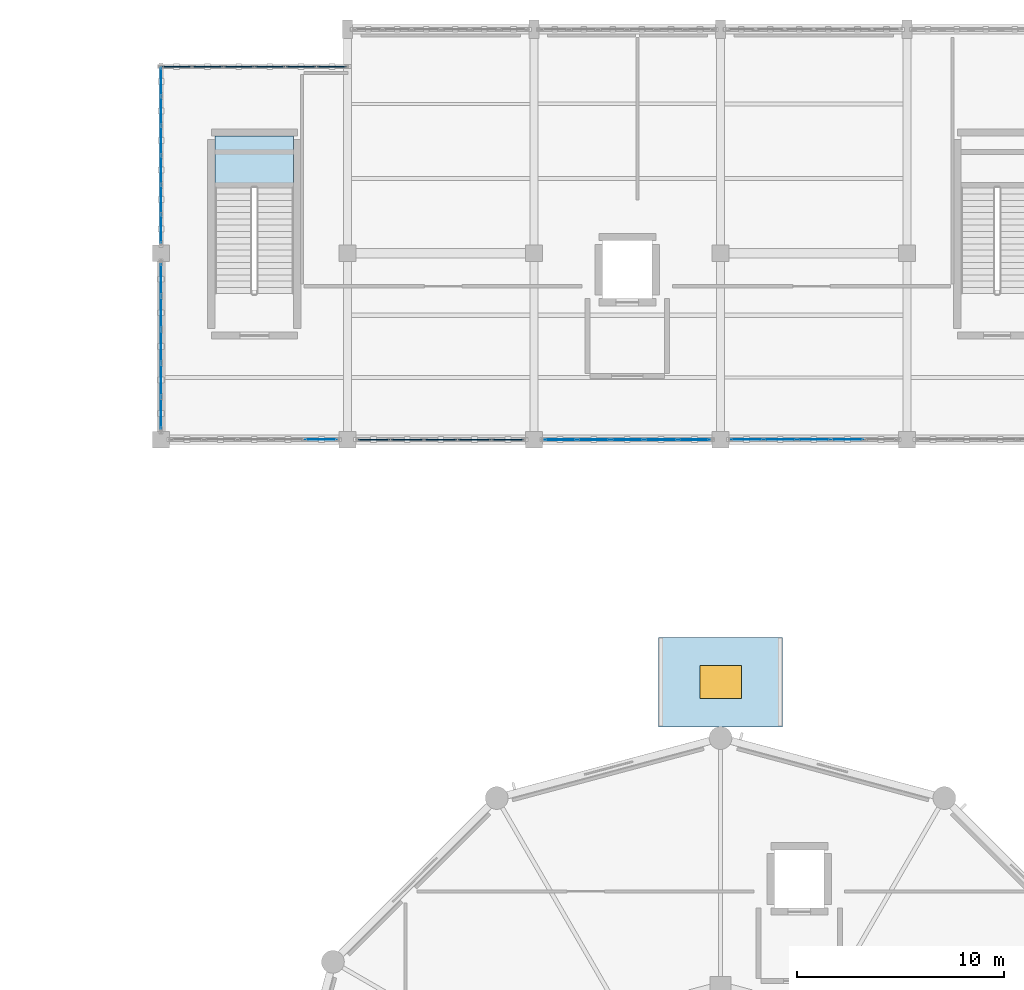
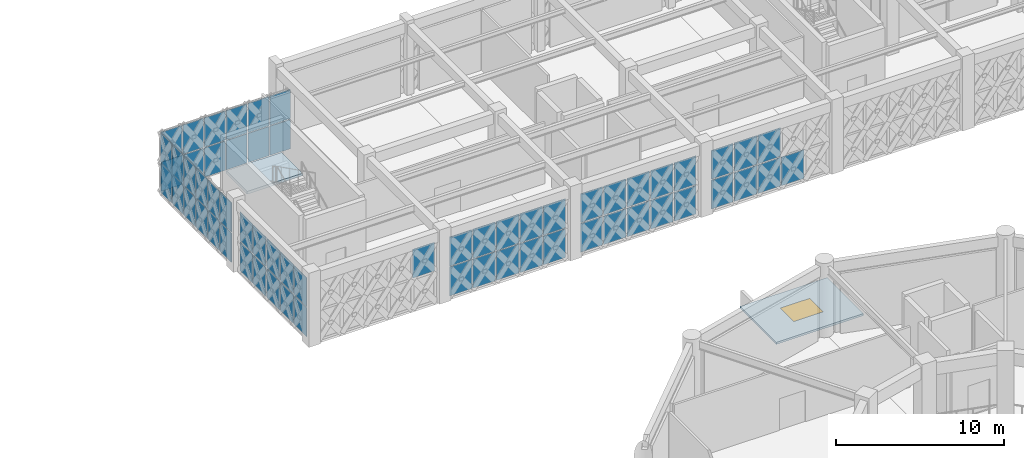
# One storey, part 65 of 86: 62 plates, 2 slabs, 1 window, 1 opening, 8 elements without a shape of their own.
"""IFC4 building model written with IfcOpenShell, lengths in metres."""

from ifc_helpers import new_model, si_unit, direction, frame, origin, origin_2d, place, context, subcontext, project, spatial, polyline, rectangle, outline, extrude, material, layer, layer_set, type_object, element, fill, aggregate, save


model = new_model("IFC4")

# Units and contexts
model_context = context("Model", 3, precision=1e-05, world=origin(), true_north=direction((0.0, 1.0)))
body_context = subcontext(model_context, "Body", "Model", "MODEL_VIEW")
ifc_project = project(units=[si_unit("LENGTHUNIT", "METRE"), si_unit("AREAUNIT", "SQUARE_METRE"), si_unit("VOLUMEUNIT", "CUBIC_METRE"), si_unit("PLANEANGLEUNIT", "RADIAN"), si_unit("MASSUNIT", "GRAM", prefix="KILO")], contexts=[model_context])

# Site, building, storey
site_placement = place(None, origin())
site = spatial("IfcSite", under=ifc_project, at=site_placement, CompositionType="ELEMENT")
building_placement = place(site_placement, origin())
building = spatial("IfcBuilding", under=site, at=building_placement, Name="Haizhuo Lancet Aquarium", CompositionType="ELEMENT")
storey_placement = place(building_placement, frame((0.0, 0.0, 16.199951171875)))
storey = spatial("IfcBuildingStorey", under=building, at=storey_placement, Name="L03", CompositionType="ELEMENT", Elevation=16.199951171875)

# Curtain wall, plate
ifc_material_1 = material(Name="Aluminium 6063-T6", Category="aluminium")
curtain_wall_type_1 = type_object("IfcCurtainWallType", Name="CWD-8110x4400", PredefinedType="NOTDEFINED", material=ifc_material_1)
curtain_wall_1_placement = place(storey_placement, origin())
curtain_wall_1 = element("IfcCurtainWall", 1, at=curtain_wall_1_placement, inside=storey, type_object=curtain_wall_type_1, Name="L03 curtain wall CW-V5-L03-173", PredefinedType="NOTDEFINED")
ifc_material_2 = material(Name="Laminated Low-E Glass", Category="glass")
ifc_layer_1 = layer(ifc_material_2, 0.028076171875)
ifc_layer_set_1 = layer_set([ifc_layer_1], Name="Laminated Low-E Glass")
plate_type_1 = type_object("IfcPlateType", Name="CW-PNL-1", PredefinedType="CURTAIN_PANEL", material=ifc_layer_set_1)
plate_1_placement = place(storey_placement, frame((-19.27490234375, 36.0, 2.237548828125), z_axis=(0.0, 0.0, 1.0), x_axis=(-1.0, 0.0, 0.0)))
plate_1 = element("IfcPlate", 2, at=plate_1_placement, type_object=plate_type_1, Name="CWD-81x44 panel 1.2", PredefinedType="CURTAIN_PANEL", context=body_context, shape_type="SweptSolid", body=[
    extrude(rectangle(XDim=1.509033203125, YDim=0.028076171875, at=origin_2d()), origin(), (0.0, 0.0, 1.0), 2.0869140625),
])
aggregate(curtain_wall_1, [plate_1])

# Curtain wall, plates
curtain_wall_2_placement = place(storey_placement, origin())
curtain_wall_2 = element("IfcCurtainWall", 3, at=curtain_wall_2_placement, inside=storey, type_object=curtain_wall_type_1, Name="L03 curtain wall CW-V5-L03-170", PredefinedType="NOTDEFINED")
ifc_layer_2 = layer(ifc_material_2, 0.033935546875)
ifc_layer_set_2 = layer_set([ifc_layer_2], Name="Laminated Low-E Glass")
plate_type_2 = type_object("IfcPlateType", Name="CW-PNL-2", PredefinedType="CURTAIN_PANEL", material=ifc_layer_set_2)
plate_2_placement = place(storey_placement, frame((6.1220703125, 36.0, 0.07568359375), z_axis=(0.0, 0.0, 1.0), x_axis=(-1.0, 0.0, 0.0)))
plate_2 = element("IfcPlate", 4, at=plate_2_placement, type_object=plate_type_2, Name="CWD-81x44 panel 2.1", PredefinedType="CURTAIN_PANEL", context=body_context, shape_type="SweptSolid", body=[
    extrude(rectangle(XDim=1.547119140625, YDim=0.033935546875, at=origin_2d()), origin(), (0.0, 0.0, 1.0), 2.0869140625),
])
plate_3_placement = place(storey_placement, frame((4.5, 36.0, 0.07568359375), z_axis=(0.0, 0.0, 1.0), x_axis=(-1.0, 0.0, 0.0)))
plate_3 = element("IfcPlate", 5, at=plate_3_placement, type_object=plate_type_2, Name="CWD-81x44 panel 3.1", PredefinedType="CURTAIN_PANEL", context=body_context, shape_type="SweptSolid", body=[
    extrude(rectangle(XDim=1.547119140625, YDim=0.033935546875, at=origin_2d()), origin(), (0.0, 0.0, 1.0), 2.0869140625),
])
plate_4_placement = place(storey_placement, frame((4.5, 36.0, 2.237548828125), z_axis=(0.0, 0.0, 1.0), x_axis=(-1.0, 0.0, 0.0)))
plate_4 = element("IfcPlate", 6, at=plate_4_placement, type_object=plate_type_2, Name="CWD-81x44 panel 3.2", PredefinedType="CURTAIN_PANEL", context=body_context, shape_type="SweptSolid", body=[
    extrude(rectangle(XDim=1.547119140625, YDim=0.033935546875, at=origin_2d()), origin(), (0.0, 0.0, 1.0), 2.0869140625),
])
plate_5_placement = place(storey_placement, frame((2.8779296875, 36.0, 0.07568359375), z_axis=(0.0, 0.0, 1.0), x_axis=(-1.0, 0.0, 0.0)))
plate_5 = element("IfcPlate", 7, at=plate_5_placement, type_object=plate_type_2, Name="CWD-81x44 panel 4.1", PredefinedType="CURTAIN_PANEL", context=body_context, shape_type="SweptSolid", body=[
    extrude(rectangle(XDim=1.547119140625, YDim=0.033935546875, at=origin_2d()), origin(), (0.0, 0.0, 1.0), 2.0869140625),
])
plate_6_placement = place(storey_placement, frame((2.8779296875, 36.0, 2.237548828125), z_axis=(0.0, 0.0, 1.0), x_axis=(-1.0, 0.0, 0.0)))
plate_6 = element("IfcPlate", 8, at=plate_6_placement, type_object=plate_type_2, Name="CWD-81x44 panel 4.2", PredefinedType="CURTAIN_PANEL", context=body_context, shape_type="SweptSolid", body=[
    extrude(rectangle(XDim=1.547119140625, YDim=0.033935546875, at=origin_2d()), origin(), (0.0, 0.0, 1.0), 2.0869140625),
])
plate_7_placement = place(storey_placement, frame((1.27490234375, 36.0, 0.07568359375), z_axis=(0.0, 0.0, 1.0), x_axis=(-1.0, 0.0, 0.0)))
plate_7 = element("IfcPlate", 9, at=plate_7_placement, type_object=plate_type_2, Name="CWD-81x44 panel 5.1", PredefinedType="CURTAIN_PANEL", context=body_context, shape_type="SweptSolid", body=[
    extrude(rectangle(XDim=1.510009765625, YDim=0.033935546875, at=origin_2d()), origin(), (0.0, 0.0, 1.0), 2.0869140625),
])
plate_8_placement = place(storey_placement, frame((1.27490234375, 36.0, 2.237548828125), z_axis=(0.0, 0.0, 1.0), x_axis=(-1.0, 0.0, 0.0)))
plate_8 = element("IfcPlate", 10, at=plate_8_placement, type_object=plate_type_2, Name="CWD-81x44 panel 5.2", PredefinedType="CURTAIN_PANEL", context=body_context, shape_type="SweptSolid", body=[
    extrude(rectangle(XDim=1.510009765625, YDim=0.033935546875, at=origin_2d()), origin(), (0.0, 0.0, 1.0), 2.0869140625),
])
aggregate(curtain_wall_2, [plate_2, plate_3, plate_4, plate_5, plate_6, plate_7, plate_8])

curtain_wall_type_2 = type_object("IfcCurtainWallType", Name="CWD-8110x4450", PredefinedType="NOTDEFINED", material=ifc_material_1)
curtain_wall_3_placement = place(storey_placement, origin())
curtain_wall_3 = element("IfcCurtainWall", 11, at=curtain_wall_3_placement, inside=storey, type_object=curtain_wall_type_2, Name="L03 curtain wall CW-V5-L03-174", PredefinedType="NOTDEFINED")
plate_9_placement = place(storey_placement, frame((-27.0, 37.27587890625, 0.07958984375), z_axis=(0.0, 0.0, 1.0), x_axis=(0.0, 1.0, 0.0)))
plate_9 = element("IfcPlate", 12, at=plate_9_placement, type_object=plate_type_2, Name="CWD-81x44 panel 1.1", PredefinedType="CURTAIN_PANEL", context=body_context, shape_type="SweptSolid", body=[
    extrude(rectangle(XDim=1.501953125, YDim=0.033935546875, at=origin_2d()), origin(), (0.0, 0.0, 1.0), 2.10498046875),
])
plate_10_placement = place(storey_placement, frame((-27.0, 37.27587890625, 2.2646484375), z_axis=(0.0, 0.0, 1.0), x_axis=(0.0, 1.0, 0.0)))
plate_10 = element("IfcPlate", 13, at=plate_10_placement, type_object=plate_type_2, Name="CWD-81x44 panel 1.2", PredefinedType="CURTAIN_PANEL", context=body_context, shape_type="SweptSolid", body=[
    extrude(rectangle(XDim=1.501953125, YDim=0.033935546875, at=origin_2d()), origin(), (0.0, 0.0, 1.0), 2.10498046875),
])
plate_11_placement = place(storey_placement, frame((-27.0, 38.8779296875, 0.07958984375), z_axis=(0.0, 0.0, 1.0), x_axis=(0.0, 1.0, 0.0)))
plate_11 = element("IfcPlate", 14, at=plate_11_placement, type_object=plate_type_2, Name="CWD-81x44 panel 2.1", PredefinedType="CURTAIN_PANEL", context=body_context, shape_type="SweptSolid", body=[
    extrude(rectangle(XDim=1.5419921875, YDim=0.033935546875, at=origin_2d()), origin(), (0.0, 0.0, 1.0), 2.10498046875),
])
plate_12_placement = place(storey_placement, frame((-27.0, 38.8779296875, 2.2646484375), z_axis=(0.0, 0.0, 1.0), x_axis=(0.0, 1.0, 0.0)))
plate_12 = element("IfcPlate", 15, at=plate_12_placement, type_object=plate_type_2, Name="CWD-81x44 panel 2.2", PredefinedType="CURTAIN_PANEL", context=body_context, shape_type="SweptSolid", body=[
    extrude(rectangle(XDim=1.5419921875, YDim=0.033935546875, at=origin_2d()), origin(), (0.0, 0.0, 1.0), 2.10498046875),
])
plate_13_placement = place(storey_placement, frame((-27.0, 40.5, 0.07958984375), z_axis=(0.0, 0.0, 1.0), x_axis=(0.0, 1.0, 0.0)))
plate_13 = element("IfcPlate", 16, at=plate_13_placement, type_object=plate_type_2, Name="CWD-81x44 panel 3.1", PredefinedType="CURTAIN_PANEL", context=body_context, shape_type="SweptSolid", body=[
    extrude(rectangle(XDim=1.5419921875, YDim=0.033935546875, at=origin_2d()), origin(), (0.0, 0.0, 1.0), 2.10498046875),
])
plate_14_placement = place(storey_placement, frame((-27.0, 40.5, 2.2646484375), z_axis=(0.0, 0.0, 1.0), x_axis=(0.0, 1.0, 0.0)))
plate_14 = element("IfcPlate", 17, at=plate_14_placement, type_object=plate_type_2, Name="CWD-81x44 panel 3.2", PredefinedType="CURTAIN_PANEL", context=body_context, shape_type="SweptSolid", body=[
    extrude(rectangle(XDim=1.5419921875, YDim=0.033935546875, at=origin_2d()), origin(), (0.0, 0.0, 1.0), 2.10498046875),
])
plate_15_placement = place(storey_placement, frame((-27.0, 42.1220703125, 0.07958984375), z_axis=(0.0, 0.0, 1.0), x_axis=(0.0, 1.0, 0.0)))
plate_15 = element("IfcPlate", 18, at=plate_15_placement, type_object=plate_type_2, Name="CWD-81x44 panel 4.1", PredefinedType="CURTAIN_PANEL", context=body_context, shape_type="SweptSolid", body=[
    extrude(rectangle(XDim=1.5419921875, YDim=0.033935546875, at=origin_2d()), origin(), (0.0, 0.0, 1.0), 2.10498046875),
])
plate_16_placement = place(storey_placement, frame((-27.0, 42.1220703125, 2.2646484375), z_axis=(0.0, 0.0, 1.0), x_axis=(0.0, 1.0, 0.0)))
plate_16 = element("IfcPlate", 19, at=plate_16_placement, type_object=plate_type_2, Name="CWD-81x44 panel 4.2", PredefinedType="CURTAIN_PANEL", context=body_context, shape_type="SweptSolid", body=[
    extrude(rectangle(XDim=1.5419921875, YDim=0.033935546875, at=origin_2d()), origin(), (0.0, 0.0, 1.0), 2.10498046875),
])
plate_17_placement = place(storey_placement, frame((-27.0, 43.72412109375, 0.07958984375), z_axis=(0.0, 0.0, 1.0), x_axis=(0.0, 1.0, 0.0)))
plate_17 = element("IfcPlate", 20, at=plate_17_placement, type_object=plate_type_2, Name="CWD-81x44 panel 5.1", PredefinedType="CURTAIN_PANEL", context=body_context, shape_type="SweptSolid", body=[
    extrude(rectangle(XDim=1.501953125, YDim=0.033935546875, at=origin_2d()), origin(), (0.0, 0.0, 1.0), 2.10498046875),
])
plate_18_placement = place(storey_placement, frame((-27.0, 43.72412109375, 2.2646484375), z_axis=(0.0, 0.0, 1.0), x_axis=(0.0, 1.0, 0.0)))
plate_18 = element("IfcPlate", 21, at=plate_18_placement, type_object=plate_type_2, Name="CWD-81x44 panel 5.2", PredefinedType="CURTAIN_PANEL", context=body_context, shape_type="SweptSolid", body=[
    extrude(rectangle(XDim=1.501953125, YDim=0.033935546875, at=origin_2d()), origin(), (0.0, 0.0, 1.0), 2.10498046875),
])
aggregate(curtain_wall_3, [plate_9, plate_10, plate_11, plate_12, plate_13, plate_14, plate_15, plate_16, plate_17, plate_18])

curtain_wall_4_placement = place(storey_placement, origin())
curtain_wall_4 = element("IfcCurtainWall", 22, at=curtain_wall_4_placement, inside=storey, type_object=curtain_wall_type_1, Name="L03 curtain wall CW-V5-L03-171", PredefinedType="NOTDEFINED")
ifc_layer_3 = layer(ifc_material_2, 0.0419921875)
ifc_layer_set_3 = layer_set([ifc_layer_3], Name="Laminated Low-E Glass")
plate_type_3 = type_object("IfcPlateType", Name="CW-PNL-3", PredefinedType="CURTAIN_PANEL", material=ifc_layer_set_3)
plate_19_placement = place(storey_placement, frame((-1.27587890625, 36.0, 0.080078125), z_axis=(0.0, 0.0, 1.0), x_axis=(-1.0, 0.0, 0.0)))
plate_19 = element("IfcPlate", 23, at=plate_19_placement, type_object=plate_type_3, Name="CWD-81x44 panel 1.1", PredefinedType="CURTAIN_PANEL", context=body_context, shape_type="SweptSolid", body=[
    extrude(rectangle(XDim=1.501953125, YDim=0.0419921875, at=origin_2d()), origin(), (0.0, 0.0, 1.0), 2.080078125),
])
plate_20_placement = place(storey_placement, frame((-1.27587890625, 36.0, 2.239990234375), z_axis=(0.0, 0.0, 1.0), x_axis=(-1.0, 0.0, 0.0)))
plate_20 = element("IfcPlate", 24, at=plate_20_placement, type_object=plate_type_3, Name="CWD-81x44 panel 1.2", PredefinedType="CURTAIN_PANEL", context=body_context, shape_type="SweptSolid", body=[
    extrude(rectangle(XDim=1.501953125, YDim=0.0419921875, at=origin_2d()), origin(), (0.0, 0.0, 1.0), 2.080078125),
])
plate_21_placement = place(storey_placement, frame((-2.8779296875, 36.0, 0.080078125), z_axis=(0.0, 0.0, 1.0), x_axis=(-1.0, 0.0, 0.0)))
plate_21 = element("IfcPlate", 25, at=plate_21_placement, type_object=plate_type_3, Name="CWD-81x44 panel 2.1", PredefinedType="CURTAIN_PANEL", context=body_context, shape_type="SweptSolid", body=[
    extrude(rectangle(XDim=1.5419921875, YDim=0.0419921875, at=origin_2d()), origin(), (0.0, 0.0, 1.0), 2.080078125),
])
plate_22_placement = place(storey_placement, frame((-2.8779296875, 36.0, 2.239990234375), z_axis=(0.0, 0.0, 1.0), x_axis=(-1.0, 0.0, 0.0)))
plate_22 = element("IfcPlate", 26, at=plate_22_placement, type_object=plate_type_3, Name="CWD-81x44 panel 2.2", PredefinedType="CURTAIN_PANEL", context=body_context, shape_type="SweptSolid", body=[
    extrude(rectangle(XDim=1.5419921875, YDim=0.0419921875, at=origin_2d()), origin(), (0.0, 0.0, 1.0), 2.080078125),
])
plate_23_placement = place(storey_placement, frame((-4.5, 36.0, 0.080078125), z_axis=(0.0, 0.0, 1.0), x_axis=(-1.0, 0.0, 0.0)))
plate_23 = element("IfcPlate", 27, at=plate_23_placement, type_object=plate_type_3, Name="CWD-81x44 panel 3.1", PredefinedType="CURTAIN_PANEL", context=body_context, shape_type="SweptSolid", body=[
    extrude(rectangle(XDim=1.5419921875, YDim=0.0419921875, at=origin_2d()), origin(), (0.0, 0.0, 1.0), 2.080078125),
])
plate_24_placement = place(storey_placement, frame((-4.5, 36.0, 2.239990234375), z_axis=(0.0, 0.0, 1.0), x_axis=(-1.0, 0.0, 0.0)))
plate_24 = element("IfcPlate", 28, at=plate_24_placement, type_object=plate_type_3, Name="CWD-81x44 panel 3.2", PredefinedType="CURTAIN_PANEL", context=body_context, shape_type="SweptSolid", body=[
    extrude(rectangle(XDim=1.5419921875, YDim=0.0419921875, at=origin_2d()), origin(), (0.0, 0.0, 1.0), 2.080078125),
])
plate_25_placement = place(storey_placement, frame((-6.1220703125, 36.0, 0.080078125), z_axis=(0.0, 0.0, 1.0), x_axis=(-1.0, 0.0, 0.0)))
plate_25 = element("IfcPlate", 29, at=plate_25_placement, type_object=plate_type_3, Name="CWD-81x44 panel 4.1", PredefinedType="CURTAIN_PANEL", context=body_context, shape_type="SweptSolid", body=[
    extrude(rectangle(XDim=1.5419921875, YDim=0.0419921875, at=origin_2d()), origin(), (0.0, 0.0, 1.0), 2.080078125),
])
plate_26_placement = place(storey_placement, frame((-6.1220703125, 36.0, 2.239990234375), z_axis=(0.0, 0.0, 1.0), x_axis=(-1.0, 0.0, 0.0)))
plate_26 = element("IfcPlate", 30, at=plate_26_placement, type_object=plate_type_3, Name="CWD-81x44 panel 4.2", PredefinedType="CURTAIN_PANEL", context=body_context, shape_type="SweptSolid", body=[
    extrude(rectangle(XDim=1.5419921875, YDim=0.0419921875, at=origin_2d()), origin(), (0.0, 0.0, 1.0), 2.080078125),
])
plate_27_placement = place(storey_placement, frame((-7.72412109375, 36.0, 0.080078125), z_axis=(0.0, 0.0, 1.0), x_axis=(-1.0, 0.0, 0.0)))
plate_27 = element("IfcPlate", 31, at=plate_27_placement, type_object=plate_type_3, Name="CWD-81x44 panel 5.1", PredefinedType="CURTAIN_PANEL", context=body_context, shape_type="SweptSolid", body=[
    extrude(rectangle(XDim=1.501953125, YDim=0.0419921875, at=origin_2d()), origin(), (0.0, 0.0, 1.0), 2.080078125),
])
plate_28_placement = place(storey_placement, frame((-7.72412109375, 36.0, 2.239990234375), z_axis=(0.0, 0.0, 1.0), x_axis=(-1.0, 0.0, 0.0)))
plate_28 = element("IfcPlate", 32, at=plate_28_placement, type_object=plate_type_3, Name="CWD-81x44 panel 5.2", PredefinedType="CURTAIN_PANEL", context=body_context, shape_type="SweptSolid", body=[
    extrude(rectangle(XDim=1.501953125, YDim=0.0419921875, at=origin_2d()), origin(), (0.0, 0.0, 1.0), 2.080078125),
])
aggregate(curtain_wall_4, [plate_19, plate_20, plate_21, plate_22, plate_23, plate_24, plate_25, plate_26, plate_27, plate_28])

curtain_wall_type_3 = type_object("IfcCurtainWallType", Name="CWD-8560x4450", PredefinedType="NOTDEFINED", material=ifc_material_1)
curtain_wall_5_placement = place(storey_placement, origin())
curtain_wall_5 = element("IfcCurtainWall", 33, at=curtain_wall_5_placement, inside=storey, type_object=curtain_wall_type_3, Name="L03 curtain wall CW-V5-L03-175", PredefinedType="NOTDEFINED")
plate_29_placement = place(storey_placement, frame((-27.0, 46.174072265625, 0.065185546875), z_axis=(0.0, 0.0, 1.0), x_axis=(0.0, 1.0, 0.0)))
plate_29 = element("IfcPlate", 34, at=plate_29_placement, type_object=plate_type_3, Name="CWD-85x44 panel 1.1", PredefinedType="CURTAIN_PANEL", context=body_context, shape_type="SweptSolid", body=[
    extrude(rectangle(XDim=1.327880859375, YDim=0.0419921875, at=origin_2d()), origin(), (0.0, 0.0, 1.0), 2.1279296875),
])
plate_30_placement = place(storey_placement, frame((-27.0, 46.174072265625, 2.257080078125), z_axis=(0.0, 0.0, 1.0), x_axis=(0.0, 1.0, 0.0)))
plate_30 = element("IfcPlate", 35, at=plate_30_placement, type_object=plate_type_3, Name="CWD-85x44 panel 1.2", PredefinedType="CURTAIN_PANEL", context=body_context, shape_type="SweptSolid", body=[
    extrude(rectangle(XDim=1.327880859375, YDim=0.0419921875, at=origin_2d()), origin(), (0.0, 0.0, 1.0), 2.1279296875),
])
plate_31_placement = place(storey_placement, frame((-27.0, 47.583984375, 0.065185546875), z_axis=(0.0, 0.0, 1.0), x_axis=(0.0, 1.0, 0.0)))
plate_31 = element("IfcPlate", 36, at=plate_31_placement, type_object=plate_type_3, Name="CWD-85x44 panel 2.1", PredefinedType="CURTAIN_PANEL", context=body_context, shape_type="SweptSolid", body=[
    extrude(rectangle(XDim=1.361083984375, YDim=0.0419921875, at=origin_2d()), origin(), (0.0, 0.0, 1.0), 2.1279296875),
])
plate_32_placement = place(storey_placement, frame((-27.0, 47.583984375, 2.257080078125), z_axis=(0.0, 0.0, 1.0), x_axis=(0.0, 1.0, 0.0)))
plate_32 = element("IfcPlate", 37, at=plate_32_placement, type_object=plate_type_3, Name="CWD-85x44 panel 2.2", PredefinedType="CURTAIN_PANEL", context=body_context, shape_type="SweptSolid", body=[
    extrude(rectangle(XDim=1.361083984375, YDim=0.0419921875, at=origin_2d()), origin(), (0.0, 0.0, 1.0), 2.1279296875),
])
plate_33_placement = place(storey_placement, frame((-27.0, 49.010009765625, 0.065185546875), z_axis=(0.0, 0.0, 1.0), x_axis=(0.0, 1.0, 0.0)))
plate_33 = element("IfcPlate", 38, at=plate_33_placement, type_object=plate_type_3, Name="CWD-85x44 panel 3.1", PredefinedType="CURTAIN_PANEL", context=body_context, shape_type="SweptSolid", body=[
    extrude(rectangle(XDim=1.361083984375, YDim=0.0419921875, at=origin_2d()), origin(), (0.0, 0.0, 1.0), 2.1279296875),
])
plate_34_placement = place(storey_placement, frame((-27.0, 49.010009765625, 2.257080078125), z_axis=(0.0, 0.0, 1.0), x_axis=(0.0, 1.0, 0.0)))
plate_34 = element("IfcPlate", 39, at=plate_34_placement, type_object=plate_type_3, Name="CWD-85x44 panel 3.2", PredefinedType="CURTAIN_PANEL", context=body_context, shape_type="SweptSolid", body=[
    extrude(rectangle(XDim=1.361083984375, YDim=0.0419921875, at=origin_2d()), origin(), (0.0, 0.0, 1.0), 2.1279296875),
])
plate_35_placement = place(storey_placement, frame((-27.0, 50.43505859375, 0.065185546875), z_axis=(0.0, 0.0, 1.0), x_axis=(0.0, 1.0, 0.0)))
plate_35 = element("IfcPlate", 40, at=plate_35_placement, type_object=plate_type_3, Name="CWD-85x44 panel 4.1", PredefinedType="CURTAIN_PANEL", context=body_context, shape_type="SweptSolid", body=[
    extrude(rectangle(XDim=1.361083984375, YDim=0.0419921875, at=origin_2d()), origin(), (0.0, 0.0, 1.0), 2.1279296875),
])
plate_36_placement = place(storey_placement, frame((-27.0, 50.43505859375, 2.257080078125), z_axis=(0.0, 0.0, 1.0), x_axis=(0.0, 1.0, 0.0)))
plate_36 = element("IfcPlate", 41, at=plate_36_placement, type_object=plate_type_3, Name="CWD-85x44 panel 4.2", PredefinedType="CURTAIN_PANEL", context=body_context, shape_type="SweptSolid", body=[
    extrude(rectangle(XDim=1.361083984375, YDim=0.0419921875, at=origin_2d()), origin(), (0.0, 0.0, 1.0), 2.1279296875),
])
plate_37_placement = place(storey_placement, frame((-27.0, 51.861083984375, 0.065185546875), z_axis=(0.0, 0.0, 1.0), x_axis=(0.0, 1.0, 0.0)))
plate_37 = element("IfcPlate", 42, at=plate_37_placement, type_object=plate_type_3, Name="CWD-85x44 panel 5.1", PredefinedType="CURTAIN_PANEL", context=body_context, shape_type="SweptSolid", body=[
    extrude(rectangle(XDim=1.361083984375, YDim=0.0419921875, at=origin_2d()), origin(), (0.0, 0.0, 1.0), 2.1279296875),
])
plate_38_placement = place(storey_placement, frame((-27.0, 51.861083984375, 2.257080078125), z_axis=(0.0, 0.0, 1.0), x_axis=(0.0, 1.0, 0.0)))
plate_38 = element("IfcPlate", 43, at=plate_38_placement, type_object=plate_type_3, Name="CWD-85x44 panel 5.2", PredefinedType="CURTAIN_PANEL", context=body_context, shape_type="SweptSolid", body=[
    extrude(rectangle(XDim=1.361083984375, YDim=0.0419921875, at=origin_2d()), origin(), (0.0, 0.0, 1.0), 2.1279296875),
])
plate_39_placement = place(storey_placement, frame((-27.0, 53.27099609375, 0.065185546875), z_axis=(0.0, 0.0, 1.0), x_axis=(0.0, 1.0, 0.0)))
plate_39 = element("IfcPlate", 44, at=plate_39_placement, type_object=plate_type_3, Name="CWD-85x44 panel 6.1", PredefinedType="CURTAIN_PANEL", context=body_context, shape_type="SweptSolid", body=[
    extrude(rectangle(XDim=1.327880859375, YDim=0.0419921875, at=origin_2d()), origin(), (0.0, 0.0, 1.0), 2.1279296875),
])
plate_40_placement = place(storey_placement, frame((-27.0, 53.27099609375, 2.257080078125), z_axis=(0.0, 0.0, 1.0), x_axis=(0.0, 1.0, 0.0)))
plate_40 = element("IfcPlate", 45, at=plate_40_placement, type_object=plate_type_3, Name="CWD-85x44 panel 6.2", PredefinedType="CURTAIN_PANEL", context=body_context, shape_type="SweptSolid", body=[
    extrude(rectangle(XDim=1.327880859375, YDim=0.0419921875, at=origin_2d()), origin(), (0.0, 0.0, 1.0), 2.1279296875),
])
aggregate(curtain_wall_5, [plate_29, plate_30, plate_31, plate_32, plate_33, plate_34, plate_35, plate_36, plate_37, plate_38, plate_39, plate_40])

curtain_wall_type_4 = type_object("IfcCurtainWallType", Name="CWD-9000x4430", PredefinedType="NOTDEFINED", material=ifc_material_1)
curtain_wall_6_placement = place(storey_placement, origin())
curtain_wall_6 = element("IfcCurtainWall", 46, at=curtain_wall_6_placement, inside=storey, type_object=curtain_wall_type_4, Name="L03 curtain wall CW-V5-L03-160", PredefinedType="NOTDEFINED")
ifc_layer_4 = layer(ifc_material_2, 0.052001953125)
ifc_layer_set_4 = layer_set([ifc_layer_4], Name="Laminated Low-E Glass")
plate_type_4 = type_object("IfcPlateType", Name="CW-PNL-4", PredefinedType="CURTAIN_PANEL", material=ifc_layer_set_4)
plate_41_placement = place(storey_placement, frame((-26.23388671875, 54.0, 0.064453125), z_axis=(0.0, 0.0, 1.0), x_axis=(1.0, 0.0, 0.0)))
plate_41 = element("IfcPlate", 47, at=plate_41_placement, type_object=plate_type_4, Name="CWD-90x44 panel 1.1", PredefinedType="CURTAIN_PANEL", context=body_context, shape_type="SweptSolid", body=[
    extrude(rectangle(XDim=1.403076171875, YDim=0.052001953125, at=origin_2d()), origin(), (0.0, 0.0, 1.0), 2.12109375),
])
plate_42_placement = place(storey_placement, frame((-26.23388671875, 54.0, 2.25), z_axis=(0.0, 0.0, 1.0), x_axis=(1.0, 0.0, 0.0)))
plate_42 = element("IfcPlate", 48, at=plate_42_placement, type_object=plate_type_4, Name="CWD-90x44 panel 1.2", PredefinedType="CURTAIN_PANEL", context=body_context, shape_type="SweptSolid", body=[
    extrude(rectangle(XDim=1.403076171875, YDim=0.052001953125, at=origin_2d()), origin(), (0.0, 0.0, 1.0), 2.1201171875),
])
plate_43_placement = place(storey_placement, frame((-24.75, 54.0, 0.064453125), z_axis=(0.0, 0.0, 1.0), x_axis=(1.0, 0.0, 0.0)))
plate_43 = element("IfcPlate", 49, at=plate_43_placement, type_object=plate_type_4, Name="CWD-90x44 panel 2.1", PredefinedType="CURTAIN_PANEL", context=body_context, shape_type="SweptSolid", body=[
    extrude(rectangle(XDim=1.43505859375, YDim=0.052001953125, at=origin_2d()), origin(), (0.0, 0.0, 1.0), 2.12109375),
])
plate_44_placement = place(storey_placement, frame((-24.75, 54.0, 2.25), z_axis=(0.0, 0.0, 1.0), x_axis=(1.0, 0.0, 0.0)))
plate_44 = element("IfcPlate", 50, at=plate_44_placement, type_object=plate_type_4, Name="CWD-90x44 panel 2.2", PredefinedType="CURTAIN_PANEL", context=body_context, shape_type="SweptSolid", body=[
    extrude(rectangle(XDim=1.43505859375, YDim=0.052001953125, at=origin_2d()), origin(), (0.0, 0.0, 1.0), 2.1201171875),
])
plate_45_placement = place(storey_placement, frame((-23.25, 54.0, 0.064453125), z_axis=(0.0, 0.0, 1.0), x_axis=(1.0, 0.0, 0.0)))
plate_45 = element("IfcPlate", 51, at=plate_45_placement, type_object=plate_type_4, Name="CWD-90x44 panel 3.1", PredefinedType="CURTAIN_PANEL", context=body_context, shape_type="SweptSolid", body=[
    extrude(rectangle(XDim=1.43505859375, YDim=0.052001953125, at=origin_2d()), origin(), (0.0, 0.0, 1.0), 2.12109375),
])
plate_46_placement = place(storey_placement, frame((-23.25, 54.0, 2.25), z_axis=(0.0, 0.0, 1.0), x_axis=(1.0, 0.0, 0.0)))
plate_46 = element("IfcPlate", 52, at=plate_46_placement, type_object=plate_type_4, Name="CWD-90x44 panel 3.2", PredefinedType="CURTAIN_PANEL", context=body_context, shape_type="SweptSolid", body=[
    extrude(rectangle(XDim=1.43505859375, YDim=0.052001953125, at=origin_2d()), origin(), (0.0, 0.0, 1.0), 2.1201171875),
])
plate_47_placement = place(storey_placement, frame((-21.75, 54.0, 0.064453125), z_axis=(0.0, 0.0, 1.0), x_axis=(1.0, 0.0, 0.0)))
plate_47 = element("IfcPlate", 53, at=plate_47_placement, type_object=plate_type_4, Name="CWD-90x44 panel 4.1", PredefinedType="CURTAIN_PANEL", context=body_context, shape_type="SweptSolid", body=[
    extrude(rectangle(XDim=1.43505859375, YDim=0.052001953125, at=origin_2d()), origin(), (0.0, 0.0, 1.0), 2.12109375),
])
plate_48_placement = place(storey_placement, frame((-21.75, 54.0, 2.25), z_axis=(0.0, 0.0, 1.0), x_axis=(1.0, 0.0, 0.0)))
plate_48 = element("IfcPlate", 54, at=plate_48_placement, type_object=plate_type_4, Name="CWD-90x44 panel 4.2", PredefinedType="CURTAIN_PANEL", context=body_context, shape_type="SweptSolid", body=[
    extrude(rectangle(XDim=1.43505859375, YDim=0.052001953125, at=origin_2d()), origin(), (0.0, 0.0, 1.0), 2.1201171875),
])
plate_49_placement = place(storey_placement, frame((-20.25, 54.0, 0.064453125), z_axis=(0.0, 0.0, 1.0), x_axis=(1.0, 0.0, 0.0)))
plate_49 = element("IfcPlate", 55, at=plate_49_placement, type_object=plate_type_4, Name="CWD-90x44 panel 5.1", PredefinedType="CURTAIN_PANEL", context=body_context, shape_type="SweptSolid", body=[
    extrude(rectangle(XDim=1.43505859375, YDim=0.052001953125, at=origin_2d()), origin(), (0.0, 0.0, 1.0), 2.12109375),
])
plate_50_placement = place(storey_placement, frame((-20.25, 54.0, 2.25), z_axis=(0.0, 0.0, 1.0), x_axis=(1.0, 0.0, 0.0)))
plate_50 = element("IfcPlate", 56, at=plate_50_placement, type_object=plate_type_4, Name="CWD-90x44 panel 5.2", PredefinedType="CURTAIN_PANEL", context=body_context, shape_type="SweptSolid", body=[
    extrude(rectangle(XDim=1.43505859375, YDim=0.052001953125, at=origin_2d()), origin(), (0.0, 0.0, 1.0), 2.1201171875),
])
plate_51_placement = place(storey_placement, frame((-18.76611328125, 54.0, 0.064453125), z_axis=(0.0, 0.0, 1.0), x_axis=(1.0, 0.0, 0.0)))
plate_51 = element("IfcPlate", 57, at=plate_51_placement, type_object=plate_type_4, Name="CWD-90x44 panel 6.1", PredefinedType="CURTAIN_PANEL", context=body_context, shape_type="SweptSolid", body=[
    extrude(rectangle(XDim=1.402099609375, YDim=0.052001953125, at=origin_2d()), origin(), (0.0, 0.0, 1.0), 2.12109375),
])
plate_52_placement = place(storey_placement, frame((-18.76611328125, 54.0, 2.25), z_axis=(0.0, 0.0, 1.0), x_axis=(1.0, 0.0, 0.0)))
plate_52 = element("IfcPlate", 58, at=plate_52_placement, type_object=plate_type_4, Name="CWD-90x44 panel 6.2", PredefinedType="CURTAIN_PANEL", context=body_context, shape_type="SweptSolid", body=[
    extrude(rectangle(XDim=1.402099609375, YDim=0.052001953125, at=origin_2d()), origin(), (0.0, 0.0, 1.0), 2.1201171875),
])
aggregate(curtain_wall_6, [plate_41, plate_42, plate_43, plate_44, plate_45, plate_46, plate_47, plate_48, plate_49, plate_50, plate_51, plate_52])

curtain_wall_7_placement = place(storey_placement, origin())
curtain_wall_7 = element("IfcCurtainWall", 59, at=curtain_wall_7_placement, inside=storey, type_object=curtain_wall_type_1, Name="L03 curtain wall CW-V5-L03-172", PredefinedType="NOTDEFINED")
plate_53_placement = place(storey_placement, frame((-10.27197265625, 36.0, 0.064453125), z_axis=(0.0, 0.0, 1.0), x_axis=(-1.0, 0.0, 0.0)))
plate_53 = element("IfcPlate", 60, at=plate_53_placement, type_object=plate_type_4, Name="CWD-81x44 panel 1.1", PredefinedType="CURTAIN_PANEL", context=body_context, shape_type="SweptSolid", body=[
    extrude(rectangle(XDim=1.52392578125, YDim=0.052001953125, at=origin_2d()), origin(), (0.0, 0.0, 1.0), 2.10302734375),
])
plate_54_placement = place(storey_placement, frame((-10.27197265625, 36.0, 2.232421875), z_axis=(0.0, 0.0, 1.0), x_axis=(-1.0, 0.0, 0.0)))
plate_54 = element("IfcPlate", 61, at=plate_54_placement, type_object=plate_type_4, Name="CWD-81x44 panel 1.2", PredefinedType="CURTAIN_PANEL", context=body_context, shape_type="SweptSolid", body=[
    extrude(rectangle(XDim=1.52392578125, YDim=0.052001953125, at=origin_2d()), origin(), (0.0, 0.0, 1.0), 2.10302734375),
])
plate_55_placement = place(storey_placement, frame((-11.8779296875, 36.0, 0.064453125), z_axis=(0.0, 0.0, 1.0), x_axis=(-1.0, 0.0, 0.0)))
plate_55 = element("IfcPlate", 62, at=plate_55_placement, type_object=plate_type_4, Name="CWD-81x44 panel 2.1", PredefinedType="CURTAIN_PANEL", context=body_context, shape_type="SweptSolid", body=[
    extrude(rectangle(XDim=1.556884765625, YDim=0.052001953125, at=origin_2d()), origin(), (0.0, 0.0, 1.0), 2.10302734375),
])
plate_56_placement = place(storey_placement, frame((-11.8779296875, 36.0, 2.232421875), z_axis=(0.0, 0.0, 1.0), x_axis=(-1.0, 0.0, 0.0)))
plate_56 = element("IfcPlate", 63, at=plate_56_placement, type_object=plate_type_4, Name="CWD-81x44 panel 2.2", PredefinedType="CURTAIN_PANEL", context=body_context, shape_type="SweptSolid", body=[
    extrude(rectangle(XDim=1.556884765625, YDim=0.052001953125, at=origin_2d()), origin(), (0.0, 0.0, 1.0), 2.10302734375),
])
plate_57_placement = place(storey_placement, frame((-13.5, 36.0, 0.064453125), z_axis=(0.0, 0.0, 1.0), x_axis=(-1.0, 0.0, 0.0)))
plate_57 = element("IfcPlate", 64, at=plate_57_placement, type_object=plate_type_4, Name="CWD-81x44 panel 3.1", PredefinedType="CURTAIN_PANEL", context=body_context, shape_type="SweptSolid", body=[
    extrude(rectangle(XDim=1.556884765625, YDim=0.052001953125, at=origin_2d()), origin(), (0.0, 0.0, 1.0), 2.10302734375),
])
plate_58_placement = place(storey_placement, frame((-13.5, 36.0, 2.232421875), z_axis=(0.0, 0.0, 1.0), x_axis=(-1.0, 0.0, 0.0)))
plate_58 = element("IfcPlate", 65, at=plate_58_placement, type_object=plate_type_4, Name="CWD-81x44 panel 3.2", PredefinedType="CURTAIN_PANEL", context=body_context, shape_type="SweptSolid", body=[
    extrude(rectangle(XDim=1.556884765625, YDim=0.052001953125, at=origin_2d()), origin(), (0.0, 0.0, 1.0), 2.10302734375),
])
plate_59_placement = place(storey_placement, frame((-15.1220703125, 36.0, 0.064453125), z_axis=(0.0, 0.0, 1.0), x_axis=(-1.0, 0.0, 0.0)))
plate_59 = element("IfcPlate", 66, at=plate_59_placement, type_object=plate_type_4, Name="CWD-81x44 panel 4.1", PredefinedType="CURTAIN_PANEL", context=body_context, shape_type="SweptSolid", body=[
    extrude(rectangle(XDim=1.556884765625, YDim=0.052001953125, at=origin_2d()), origin(), (0.0, 0.0, 1.0), 2.10302734375),
])
plate_60_placement = place(storey_placement, frame((-15.1220703125, 36.0, 2.232421875), z_axis=(0.0, 0.0, 1.0), x_axis=(-1.0, 0.0, 0.0)))
plate_60 = element("IfcPlate", 67, at=plate_60_placement, type_object=plate_type_4, Name="CWD-81x44 panel 4.2", PredefinedType="CURTAIN_PANEL", context=body_context, shape_type="SweptSolid", body=[
    extrude(rectangle(XDim=1.556884765625, YDim=0.052001953125, at=origin_2d()), origin(), (0.0, 0.0, 1.0), 2.10302734375),
])
plate_61_placement = place(storey_placement, frame((-16.72802734375, 36.0, 0.064453125), z_axis=(0.0, 0.0, 1.0), x_axis=(-1.0, 0.0, 0.0)))
plate_61 = element("IfcPlate", 68, at=plate_61_placement, type_object=plate_type_4, Name="CWD-81x44 panel 5.1", PredefinedType="CURTAIN_PANEL", context=body_context, shape_type="SweptSolid", body=[
    extrude(rectangle(XDim=1.52392578125, YDim=0.052001953125, at=origin_2d()), origin(), (0.0, 0.0, 1.0), 2.10302734375),
])
plate_62_placement = place(storey_placement, frame((-16.72802734375, 36.0, 2.232421875), z_axis=(0.0, 0.0, 1.0), x_axis=(-1.0, 0.0, 0.0)))
plate_62 = element("IfcPlate", 69, at=plate_62_placement, type_object=plate_type_4, Name="CWD-81x44 panel 5.2", PredefinedType="CURTAIN_PANEL", context=body_context, shape_type="SweptSolid", body=[
    extrude(rectangle(XDim=1.52392578125, YDim=0.052001953125, at=origin_2d()), origin(), (0.0, 0.0, 1.0), 2.10302734375),
])
aggregate(curtain_wall_7, [plate_53, plate_54, plate_55, plate_56, plate_57, plate_58, plate_59, plate_60, plate_61, plate_62])

# Slab, opening, window
ifc_material_3 = material(Name="Concrete C40/50", Category="concrete")
ifc_layer_5 = layer(ifc_material_3, 0.14990234375)
ifc_layer_set_5 = layer_set([ifc_layer_5], Name="Concrete C40/50")
slab_type_1 = type_object("IfcSlabType", Name="SLB-CANOPY-150", PredefinedType="ROOF", material=ifc_layer_set_5)
slab_1_placement = place(storey_placement, frame((0.0, 0.0, -0.14990234375)))
slab_1 = element("IfcSlab", 70, at=slab_1_placement, inside=storey, type_object=slab_type_1, Name="L03 structural slab SL-SB-03-RF-01", PredefinedType="ROOF", context=body_context, shape_type="SweptSolid", body=[
    extrude(outline(polyline([(-3.0, 22.139892578125), (3.0, 22.139892578125), (3.0, 26.4599609375), (-3.0, 26.4599609375), (-3.0, 22.139892578125)])), origin(), (0.0, 0.0, 1.0), 0.14990234375),
])
opening_placement = place(slab_1_placement, frame((0.0, 24.300048828125, 0.0)))
opening = element("IfcOpeningElement", 71, at=opening_placement, cuts=slab_1, Name="Opening SK-03", PredefinedType="OPENING", context=body_context, shape_type="SweptSolid", body=[
    extrude(rectangle(XDim=2.0, YDim=1.60009765625, at=origin_2d()), origin(), (0.0, 0.0, 1.0), 0.14990234375),
])
window_type = type_object("IfcWindowType", Name="WIN-SKY-2000x1600", PartitioningType="SINGLE_PANEL", PredefinedType="SKYLIGHT", material=ifc_material_2)
window_placement = place(opening_placement, frame((0.0, 0.0, 0.099853515625)))
window = element("IfcWindow", 72, at=window_placement, inside=storey, type_object=window_type, Name="L03 roof opening SK-06", OverallHeight=1.60009765625, OverallWidth=2.0, PartitioningType="SINGLE_PANEL", PredefinedType="SKYLIGHT", context=body_context, shape_type="SweptSolid", body=[
    extrude(rectangle(XDim=2.0, YDim=1.60009765625, at=origin_2d()), origin(), (0.0, 0.0, 1.0), 0.050048828125),
])
fill(opening, window)

# Stair, slab
stair_type = type_object("IfcStairType", Name="STR-HT-1800-54", PredefinedType="HALF_TURN_STAIR", material=ifc_material_3)
stair_placement = place(storey_placement, origin())
stair = element("IfcStair", 73, at=stair_placement, inside=storey, type_object=stair_type, Name="L03 enclosed exit stair ST-07", PredefinedType="HALF_TURN_STAIR")
ifc_layer_6 = layer(ifc_material_3, 0.199951171875)
ifc_layer_set_6 = layer_set([ifc_layer_6], Name="Concrete C40/50")
slab_type_2 = type_object("IfcSlabType", Name="SLB-LND-1800", PredefinedType="LANDING", material=ifc_layer_set_6)
slab_2_placement = place(storey_placement, frame((0.0, 0.0, 2.5)))
slab_2 = element("IfcSlab", 74, at=slab_2_placement, type_object=slab_type_2, Name="ST-55 landing 1", PredefinedType="LANDING", context=body_context, shape_type="SweptSolid", body=[
    extrude(outline(polyline([(-20.60009765625, 48.14990234375), (-20.60009765625, 50.64990234375), (-24.39990234375, 50.64990234375), (-24.39990234375, 48.14990234375), (-20.60009765625, 48.14990234375)])), origin(), (0.0, 0.0, 1.0), 0.199951171875),
])
aggregate(stair, [slab_2])

save(model, "model.ifc")
